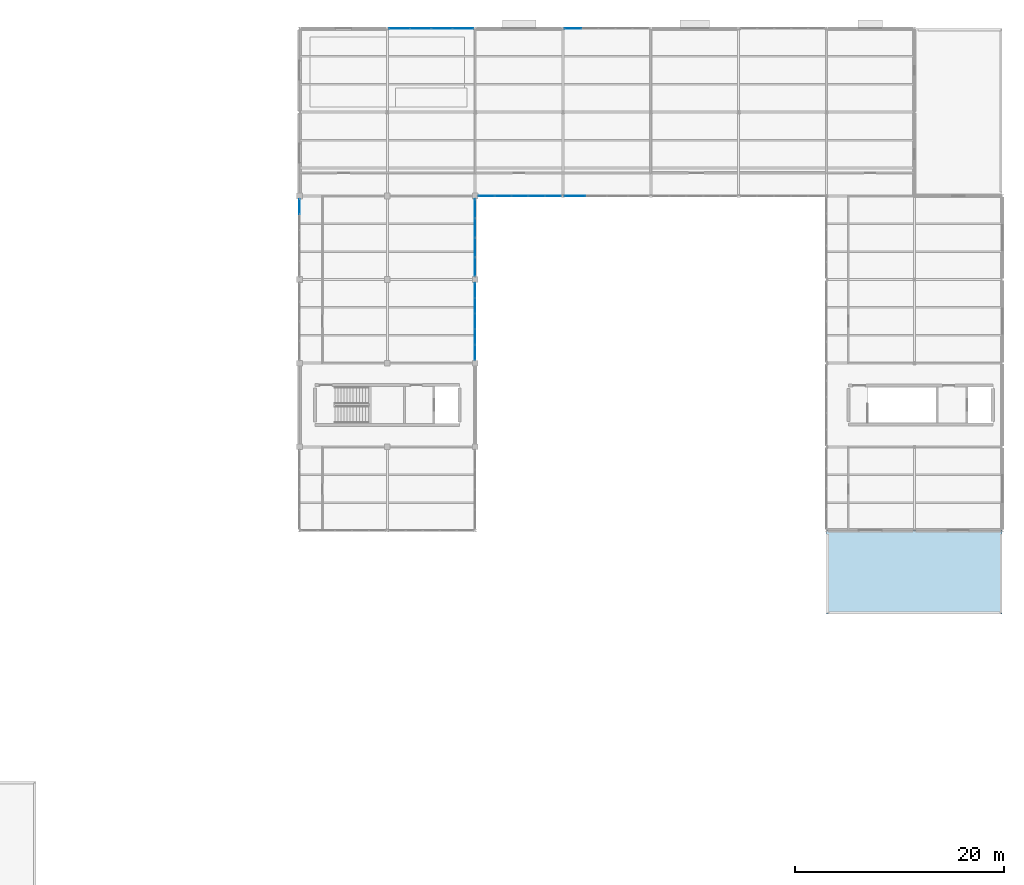
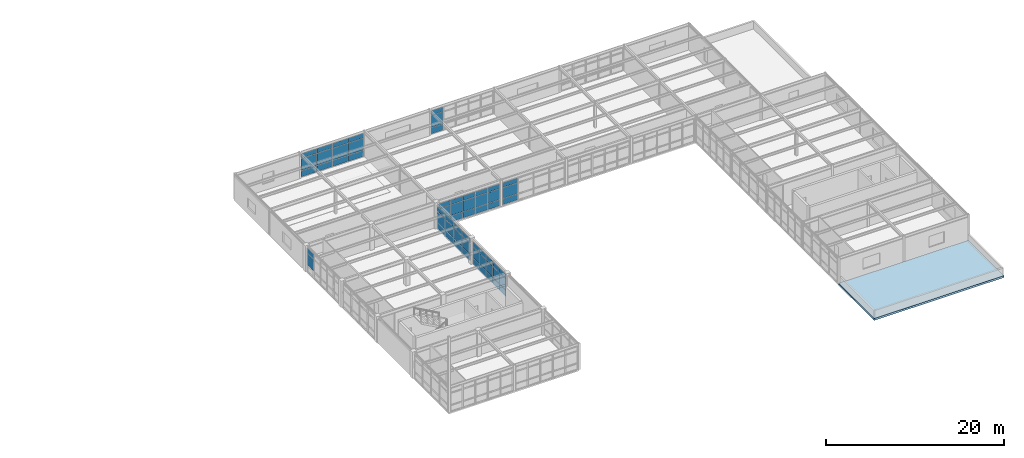
# One storey, part 37 of 53: 62 plates, 1 slab, 7 elements without a shape of their own.
"""IFC4 building model written with IfcOpenShell, lengths in metres."""

from ifc_helpers import new_model, si_unit, direction, frame, origin, origin_2d, place, context, subcontext, project, spatial, polyline, rectangle, outline, extrude, material, layer, layer_set, type_object, element, aggregate, save


model = new_model("IFC4")

# Units and contexts
model_context = context("Model", 3, precision=1e-05, world=origin(), true_north=direction((0.0, 1.0)))
body_context = subcontext(model_context, "Body", "Model", "MODEL_VIEW")
ifc_project = project(units=[si_unit("LENGTHUNIT", "METRE"), si_unit("AREAUNIT", "SQUARE_METRE"), si_unit("VOLUMEUNIT", "CUBIC_METRE"), si_unit("PLANEANGLEUNIT", "RADIAN"), si_unit("MASSUNIT", "GRAM", prefix="KILO")], contexts=[model_context])

# Site, building, storey
site_placement = place(None, origin())
site = spatial("IfcSite", under=ifc_project, at=site_placement, CompositionType="ELEMENT")
building_placement = place(site_placement, origin())
building = spatial("IfcBuilding", under=site, at=building_placement, Name="Kranzveld Transit Interchange", CompositionType="ELEMENT")
storey_placement = place(building_placement, frame((0.0, 0.0, 13.360107421875)))
storey = spatial("IfcBuildingStorey", under=building, at=storey_placement, Name="L03", CompositionType="ELEMENT", Elevation=13.360107421875)

# Curtain wall, plates
ifc_material_1 = material(Name="Bronze-anodised thermally broken aluminium", Category="aluminium")
ifc_layer_1 = layer(ifc_material_1, 0.159912109375)
ifc_layer_set_1 = layer_set([ifc_layer_1], Name="Bronze-anodised thermally broken aluminium")
curtain_wall_type_1 = type_object("IfcCurtainWallType", Name="Bus Boarding Glazed Screen CW-3", PredefinedType="USERDEFINED", material=ifc_layer_set_1)
curtain_wall_1_placement = place(storey_placement, origin())
curtain_wall_1 = element("IfcCurtainWall", 1, at=curtain_wall_1_placement, inside=storey, type_object=curtain_wall_type_1, Name="L03 Curtain Wall 14/Q-15/Q", ObjectType="CURTAIN WALL", PredefinedType="USERDEFINED")
ifc_material_2 = material(Name="Solar-control double glazing", Category="glass")
ifc_layer_2 = layer(ifc_material_2, 0.031982421875)
ifc_layer_set_2 = layer_set([ifc_layer_2], Name="Solar-control double glazing")
plate_type_1 = type_object("IfcPlateType", Name="Curtain Panel Acoustic Glazing 32", PredefinedType="CURTAIN_PANEL", material=ifc_layer_set_2)
plate_1_placement = place(storey_placement, frame((110.361083984375, 112.0, 0.059814453125), z_axis=(0.0, 0.0, 1.0), x_axis=(1.0, 0.0, 0.0)))
plate_1 = element("IfcPlate", 2, at=plate_1_placement, type_object=plate_type_1, Name="CW-3 panel 1.1", PredefinedType="CURTAIN_PANEL", context=body_context, shape_type="SweptSolid", body=[
    extrude(rectangle(XDim=1.946044921875, YDim=0.031982421875, at=origin_2d()), origin(), (0.0, 0.0, 1.0), 0.81005859375),
])
plate_2_placement = place(storey_placement, frame((110.361083984375, 112.0, 0.929931640625), z_axis=(0.0, 0.0, 1.0), x_axis=(1.0, 0.0, 0.0)))
plate_2 = element("IfcPlate", 3, at=plate_2_placement, type_object=plate_type_1, Name="CW-3 panel 1.2", PredefinedType="CURTAIN_PANEL", context=body_context, shape_type="SweptSolid", body=[
    extrude(rectangle(XDim=1.946044921875, YDim=0.031982421875, at=origin_2d()), origin(), (0.0, 0.0, 1.0), 1.6201171875),
])
plate_3_placement = place(storey_placement, frame((110.361083984375, 112.0, 2.60986328125), z_axis=(0.0, 0.0, 1.0), x_axis=(1.0, 0.0, 0.0)))
plate_3 = element("IfcPlate", 4, at=plate_3_placement, type_object=plate_type_1, Name="CW-3 panel 1.3", PredefinedType="CURTAIN_PANEL", context=body_context, shape_type="SweptSolid", body=[
    extrude(rectangle(XDim=1.946044921875, YDim=0.031982421875, at=origin_2d()), origin(), (0.0, 0.0, 1.0), 0.610107421875),
])
plate_4_placement = place(storey_placement, frame((112.382080078125, 112.0, 0.059814453125), z_axis=(0.0, 0.0, 1.0), x_axis=(1.0, 0.0, 0.0)))
plate_4 = element("IfcPlate", 5, at=plate_4_placement, type_object=plate_type_1, Name="CW-3 panel 2.1", PredefinedType="CURTAIN_PANEL", context=body_context, shape_type="SweptSolid", body=[
    extrude(rectangle(XDim=1.975830078125, YDim=0.031982421875, at=origin_2d()), origin(), (0.0, 0.0, 1.0), 0.81005859375),
])
plate_5_placement = place(storey_placement, frame((112.382080078125, 112.0, 0.929931640625), z_axis=(0.0, 0.0, 1.0), x_axis=(1.0, 0.0, 0.0)))
plate_5 = element("IfcPlate", 6, at=plate_5_placement, type_object=plate_type_1, Name="CW-3 panel 2.2", PredefinedType="CURTAIN_PANEL", context=body_context, shape_type="SweptSolid", body=[
    extrude(rectangle(XDim=1.975830078125, YDim=0.031982421875, at=origin_2d()), origin(), (0.0, 0.0, 1.0), 1.6201171875),
])
plate_6_placement = place(storey_placement, frame((112.382080078125, 112.0, 2.60986328125), z_axis=(0.0, 0.0, 1.0), x_axis=(1.0, 0.0, 0.0)))
plate_6 = element("IfcPlate", 7, at=plate_6_placement, type_object=plate_type_1, Name="CW-3 panel 2.3", PredefinedType="CURTAIN_PANEL", context=body_context, shape_type="SweptSolid", body=[
    extrude(rectangle(XDim=1.975830078125, YDim=0.031982421875, at=origin_2d()), origin(), (0.0, 0.0, 1.0), 0.610107421875),
])
plate_7_placement = place(storey_placement, frame((114.41796875, 112.0, 0.059814453125), z_axis=(0.0, 0.0, 1.0), x_axis=(1.0, 0.0, 0.0)))
plate_7 = element("IfcPlate", 8, at=plate_7_placement, type_object=plate_type_1, Name="CW-3 panel 3.1", PredefinedType="CURTAIN_PANEL", context=body_context, shape_type="SweptSolid", body=[
    extrude(rectangle(XDim=1.975830078125, YDim=0.031982421875, at=origin_2d()), origin(), (0.0, 0.0, 1.0), 0.81005859375),
])
plate_8_placement = place(storey_placement, frame((114.41796875, 112.0, 0.929931640625), z_axis=(0.0, 0.0, 1.0), x_axis=(1.0, 0.0, 0.0)))
plate_8 = element("IfcPlate", 9, at=plate_8_placement, type_object=plate_type_1, Name="CW-3 panel 3.2", PredefinedType="CURTAIN_PANEL", context=body_context, shape_type="SweptSolid", body=[
    extrude(rectangle(XDim=1.975830078125, YDim=0.031982421875, at=origin_2d()), origin(), (0.0, 0.0, 1.0), 1.6201171875),
])
plate_9_placement = place(storey_placement, frame((114.41796875, 112.0, 2.60986328125), z_axis=(0.0, 0.0, 1.0), x_axis=(1.0, 0.0, 0.0)))
plate_9 = element("IfcPlate", 10, at=plate_9_placement, type_object=plate_type_1, Name="CW-3 panel 3.3", PredefinedType="CURTAIN_PANEL", context=body_context, shape_type="SweptSolid", body=[
    extrude(rectangle(XDim=1.975830078125, YDim=0.031982421875, at=origin_2d()), origin(), (0.0, 0.0, 1.0), 0.610107421875),
])
plate_10_placement = place(storey_placement, frame((116.43896484375, 112.0, 0.059814453125), z_axis=(0.0, 0.0, 1.0), x_axis=(1.0, 0.0, 0.0)))
plate_10 = element("IfcPlate", 11, at=plate_10_placement, type_object=plate_type_1, Name="CW-3 panel 4.1", PredefinedType="CURTAIN_PANEL", context=body_context, shape_type="SweptSolid", body=[
    extrude(rectangle(XDim=1.946044921875, YDim=0.031982421875, at=origin_2d()), origin(), (0.0, 0.0, 1.0), 0.81005859375),
])
plate_11_placement = place(storey_placement, frame((116.43896484375, 112.0, 0.929931640625), z_axis=(0.0, 0.0, 1.0), x_axis=(1.0, 0.0, 0.0)))
plate_11 = element("IfcPlate", 12, at=plate_11_placement, type_object=plate_type_1, Name="CW-3 panel 4.2", PredefinedType="CURTAIN_PANEL", context=body_context, shape_type="SweptSolid", body=[
    extrude(rectangle(XDim=1.946044921875, YDim=0.031982421875, at=origin_2d()), origin(), (0.0, 0.0, 1.0), 1.6201171875),
])
plate_12_placement = place(storey_placement, frame((116.43896484375, 112.0, 2.60986328125), z_axis=(0.0, 0.0, 1.0), x_axis=(1.0, 0.0, 0.0)))
plate_12 = element("IfcPlate", 13, at=plate_12_placement, type_object=plate_type_1, Name="CW-3 panel 4.3", PredefinedType="CURTAIN_PANEL", context=body_context, shape_type="SweptSolid", body=[
    extrude(rectangle(XDim=1.946044921875, YDim=0.031982421875, at=origin_2d()), origin(), (0.0, 0.0, 1.0), 0.610107421875),
])
aggregate(curtain_wall_1, [plate_1, plate_2, plate_3, plate_4, plate_5, plate_6, plate_7, plate_8, plate_9, plate_10, plate_11, plate_12])

ifc_material_3 = material(Name="Bronze-anodised thermally broken aluminium", Category="aluminium")
ifc_layer_3 = layer(ifc_material_3, 0.1650390625)
ifc_layer_set_3 = layer_set([ifc_layer_3], Name="Bronze-anodised thermally broken aluminium")
curtain_wall_type_2 = type_object("IfcCurtainWallType", Name="Sunny Court Arcade Curtain Wall CW-2", PredefinedType="USERDEFINED", material=ifc_layer_set_3)
curtain_wall_2_placement = place(storey_placement, origin())
curtain_wall_2 = element("IfcCurtainWall", 14, at=curtain_wall_2_placement, inside=storey, type_object=curtain_wall_type_2, Name="L03 Curtain Wall 13/M-13/N", ObjectType="CURTAIN WALL", PredefinedType="USERDEFINED")
ifc_material_4 = material(Name="Solar-control double glazing", Category="glass")
ifc_layer_4 = layer(ifc_material_4, 0.02392578125)
ifc_layer_set_4 = layer_set([ifc_layer_4], Name="Solar-control double glazing")
plate_type_2 = type_object("IfcPlateType", Name="Curtain Panel Clear Glazing 24", PredefinedType="CURTAIN_PANEL", material=ifc_layer_set_4)
plate_13_placement = place(storey_placement, frame((100.800048828125, 94.9638671875, 0.929931640625), z_axis=(0.0, 0.0, 1.0), x_axis=(0.0, 1.0, 0.0)))
plate_13 = element("IfcPlate", 15, at=plate_13_placement, type_object=plate_type_2, Name="CW-2 panel 5.2", PredefinedType="CURTAIN_PANEL", context=body_context, shape_type="SweptSolid", body=[
    extrude(rectangle(XDim=1.392578125, YDim=0.02392578125, at=origin_2d()), origin(), (0.0, 0.0, 1.0), 1.6201171875),
])
plate_14_placement = place(storey_placement, frame((100.800048828125, 94.9638671875, 2.60986328125), z_axis=(0.0, 0.0, 1.0), x_axis=(0.0, 1.0, 0.0)))
plate_14 = element("IfcPlate", 16, at=plate_14_placement, type_object=plate_type_2, Name="CW-2 panel 5.3", PredefinedType="CURTAIN_PANEL", context=body_context, shape_type="SweptSolid", body=[
    extrude(rectangle(XDim=1.392578125, YDim=0.02392578125, at=origin_2d()), origin(), (0.0, 0.0, 1.0), 0.610107421875),
])
aggregate(curtain_wall_2, [plate_13, plate_14])

ifc_material_5 = material(Name="Bronze-anodised thermally broken aluminium", Category="aluminium")
ifc_layer_5 = layer(ifc_material_5, 0.14990234375)
ifc_layer_set_5 = layer_set([ifc_layer_5], Name="Bronze-anodised thermally broken aluminium")
curtain_wall_type_3 = type_object("IfcCurtainWallType", Name="Public Passage Clerestory Screen CW-4", PredefinedType="USERDEFINED", material=ifc_layer_set_5)
curtain_wall_3_placement = place(storey_placement, origin())
curtain_wall_3 = element("IfcCurtainWall", 17, at=curtain_wall_3_placement, inside=storey, type_object=curtain_wall_type_3, Name="L03 Curtain Wall 15/L-15/M", ObjectType="CURTAIN WALL", PredefinedType="USERDEFINED")
ifc_material_6 = material(Name="Solar-control double glazing", Category="glass")
ifc_layer_6 = layer(ifc_material_6, 0.0419921875)
ifc_layer_set_6 = layer_set([ifc_layer_6], Name="Solar-control double glazing")
plate_type_3 = type_object("IfcPlateType", Name="Curtain Panel Laminated Glazing 42", PredefinedType="CURTAIN_PANEL", material=ifc_layer_set_6)
plate_15_placement = place(storey_placement, frame((117.60009765625, 81.034912109375, 0.059814453125), z_axis=(0.0, 0.0, 1.0), x_axis=(0.0, 1.0, 0.0)))
plate_15 = element("IfcPlate", 18, at=plate_15_placement, type_object=plate_type_3, Name="CW-4 panel 1.1", PredefinedType="CURTAIN_PANEL", context=body_context, shape_type="SweptSolid", body=[
    extrude(rectangle(XDim=1.39990234375, YDim=0.0419921875, at=origin_2d()), origin(), (0.0, 0.0, 1.0), 0.81005859375),
])
plate_16_placement = place(storey_placement, frame((117.60009765625, 81.034912109375, 0.9296875), z_axis=(0.0, 0.0, 1.0), x_axis=(0.0, 1.0, 0.0)))
plate_16 = element("IfcPlate", 19, at=plate_16_placement, type_object=plate_type_3, Name="CW-4 panel 1.2", PredefinedType="CURTAIN_PANEL", context=body_context, shape_type="SweptSolid", body=[
    extrude(rectangle(XDim=1.39990234375, YDim=0.0419921875, at=origin_2d()), origin(), (0.0, 0.0, 1.0), 1.466552734375),
])
plate_17_placement = place(storey_placement, frame((117.60009765625, 81.034912109375, 2.45654296875), z_axis=(0.0, 0.0, 1.0), x_axis=(0.0, 1.0, 0.0)))
plate_17 = element("IfcPlate", 20, at=plate_17_placement, type_object=plate_type_3, Name="CW-4 panel 1.3", PredefinedType="CURTAIN_PANEL", context=body_context, shape_type="SweptSolid", body=[
    extrude(rectangle(XDim=1.39990234375, YDim=0.0419921875, at=origin_2d()), origin(), (0.0, 0.0, 1.0), 0.610107421875),
])
plate_18_placement = place(storey_placement, frame((117.60009765625, 82.510009765625, 0.059814453125), z_axis=(0.0, 0.0, 1.0), x_axis=(0.0, 1.0, 0.0)))
plate_18 = element("IfcPlate", 21, at=plate_18_placement, type_object=plate_type_3, Name="CW-4 panel 2.1", PredefinedType="CURTAIN_PANEL", context=body_context, shape_type="SweptSolid", body=[
    extrude(rectangle(XDim=1.429931640625, YDim=0.0419921875, at=origin_2d()), origin(), (0.0, 0.0, 1.0), 0.81005859375),
])
plate_19_placement = place(storey_placement, frame((117.60009765625, 82.510009765625, 0.9296875), z_axis=(0.0, 0.0, 1.0), x_axis=(0.0, 1.0, 0.0)))
plate_19 = element("IfcPlate", 22, at=plate_19_placement, type_object=plate_type_3, Name="CW-4 panel 2.2", PredefinedType="CURTAIN_PANEL", context=body_context, shape_type="SweptSolid", body=[
    extrude(rectangle(XDim=1.429931640625, YDim=0.0419921875, at=origin_2d()), origin(), (0.0, 0.0, 1.0), 1.466552734375),
])
plate_20_placement = place(storey_placement, frame((117.60009765625, 82.510009765625, 2.45654296875), z_axis=(0.0, 0.0, 1.0), x_axis=(0.0, 1.0, 0.0)))
plate_20 = element("IfcPlate", 23, at=plate_20_placement, type_object=plate_type_3, Name="CW-4 panel 2.3", PredefinedType="CURTAIN_PANEL", context=body_context, shape_type="SweptSolid", body=[
    extrude(rectangle(XDim=1.429931640625, YDim=0.0419921875, at=origin_2d()), origin(), (0.0, 0.0, 1.0), 0.610107421875),
])
plate_21_placement = place(storey_placement, frame((117.60009765625, 84.0, 0.059814453125), z_axis=(0.0, 0.0, 1.0), x_axis=(0.0, 1.0, 0.0)))
plate_21 = element("IfcPlate", 24, at=plate_21_placement, type_object=plate_type_3, Name="CW-4 panel 3.1", PredefinedType="CURTAIN_PANEL", context=body_context, shape_type="SweptSolid", body=[
    extrude(rectangle(XDim=1.429931640625, YDim=0.0419921875, at=origin_2d()), origin(), (0.0, 0.0, 1.0), 0.81005859375),
])
plate_22_placement = place(storey_placement, frame((117.60009765625, 84.0, 0.9296875), z_axis=(0.0, 0.0, 1.0), x_axis=(0.0, 1.0, 0.0)))
plate_22 = element("IfcPlate", 25, at=plate_22_placement, type_object=plate_type_3, Name="CW-4 panel 3.2", PredefinedType="CURTAIN_PANEL", context=body_context, shape_type="SweptSolid", body=[
    extrude(rectangle(XDim=1.429931640625, YDim=0.0419921875, at=origin_2d()), origin(), (0.0, 0.0, 1.0), 1.466552734375),
])
plate_23_placement = place(storey_placement, frame((117.60009765625, 84.0, 2.45654296875), z_axis=(0.0, 0.0, 1.0), x_axis=(0.0, 1.0, 0.0)))
plate_23 = element("IfcPlate", 26, at=plate_23_placement, type_object=plate_type_3, Name="CW-4 panel 3.3", PredefinedType="CURTAIN_PANEL", context=body_context, shape_type="SweptSolid", body=[
    extrude(rectangle(XDim=1.429931640625, YDim=0.0419921875, at=origin_2d()), origin(), (0.0, 0.0, 1.0), 0.610107421875),
])
plate_24_placement = place(storey_placement, frame((117.60009765625, 85.489990234375, 0.059814453125), z_axis=(0.0, 0.0, 1.0), x_axis=(0.0, 1.0, 0.0)))
plate_24 = element("IfcPlate", 27, at=plate_24_placement, type_object=plate_type_3, Name="CW-4 panel 4.1", PredefinedType="CURTAIN_PANEL", context=body_context, shape_type="SweptSolid", body=[
    extrude(rectangle(XDim=1.429931640625, YDim=0.0419921875, at=origin_2d()), origin(), (0.0, 0.0, 1.0), 0.81005859375),
])
plate_25_placement = place(storey_placement, frame((117.60009765625, 85.489990234375, 0.9296875), z_axis=(0.0, 0.0, 1.0), x_axis=(0.0, 1.0, 0.0)))
plate_25 = element("IfcPlate", 28, at=plate_25_placement, type_object=plate_type_3, Name="CW-4 panel 4.2", PredefinedType="CURTAIN_PANEL", context=body_context, shape_type="SweptSolid", body=[
    extrude(rectangle(XDim=1.429931640625, YDim=0.0419921875, at=origin_2d()), origin(), (0.0, 0.0, 1.0), 1.466552734375),
])
plate_26_placement = place(storey_placement, frame((117.60009765625, 85.489990234375, 2.45654296875), z_axis=(0.0, 0.0, 1.0), x_axis=(0.0, 1.0, 0.0)))
plate_26 = element("IfcPlate", 29, at=plate_26_placement, type_object=plate_type_3, Name="CW-4 panel 4.3", PredefinedType="CURTAIN_PANEL", context=body_context, shape_type="SweptSolid", body=[
    extrude(rectangle(XDim=1.429931640625, YDim=0.0419921875, at=origin_2d()), origin(), (0.0, 0.0, 1.0), 0.610107421875),
])
plate_27_placement = place(storey_placement, frame((117.60009765625, 86.965087890625, 0.059814453125), z_axis=(0.0, 0.0, 1.0), x_axis=(0.0, 1.0, 0.0)))
plate_27 = element("IfcPlate", 30, at=plate_27_placement, type_object=plate_type_3, Name="CW-4 panel 5.1", PredefinedType="CURTAIN_PANEL", context=body_context, shape_type="SweptSolid", body=[
    extrude(rectangle(XDim=1.39990234375, YDim=0.0419921875, at=origin_2d()), origin(), (0.0, 0.0, 1.0), 0.81005859375),
])
plate_28_placement = place(storey_placement, frame((117.60009765625, 86.965087890625, 0.9296875), z_axis=(0.0, 0.0, 1.0), x_axis=(0.0, 1.0, 0.0)))
plate_28 = element("IfcPlate", 31, at=plate_28_placement, type_object=plate_type_3, Name="CW-4 panel 5.2", PredefinedType="CURTAIN_PANEL", context=body_context, shape_type="SweptSolid", body=[
    extrude(rectangle(XDim=1.39990234375, YDim=0.0419921875, at=origin_2d()), origin(), (0.0, 0.0, 1.0), 1.466552734375),
])
plate_29_placement = place(storey_placement, frame((117.60009765625, 86.965087890625, 2.45654296875), z_axis=(0.0, 0.0, 1.0), x_axis=(0.0, 1.0, 0.0)))
plate_29 = element("IfcPlate", 32, at=plate_29_placement, type_object=plate_type_3, Name="CW-4 panel 5.3", PredefinedType="CURTAIN_PANEL", context=body_context, shape_type="SweptSolid", body=[
    extrude(rectangle(XDim=1.39990234375, YDim=0.0419921875, at=origin_2d()), origin(), (0.0, 0.0, 1.0), 0.610107421875),
])
aggregate(curtain_wall_3, [plate_15, plate_16, plate_17, plate_18, plate_19, plate_20, plate_21, plate_22, plate_23, plate_24, plate_25, plate_26, plate_27, plate_28, plate_29])

curtain_wall_4_placement = place(storey_placement, origin())
curtain_wall_4 = element("IfcCurtainWall", 33, at=curtain_wall_4_placement, inside=storey, type_object=curtain_wall_type_3, Name="L03 Curtain Wall 16/Q-17/Q", ObjectType="CURTAIN WALL", PredefinedType="USERDEFINED")
plate_30_placement = place(storey_placement, frame((126.95751953125, 112.0, 0.059814453125), z_axis=(0.0, 0.0, 1.0), x_axis=(1.0, 0.0, 0.0)))
plate_30 = element("IfcPlate", 34, at=plate_30_placement, type_object=plate_type_3, Name="CW-4 panel 1.1", PredefinedType="CURTAIN_PANEL", context=body_context, shape_type="SweptSolid", body=[
    extrude(rectangle(XDim=1.538818359375, YDim=0.0419921875, at=origin_2d()), origin(), (0.0, 0.0, 1.0), 0.81005859375),
])
plate_31_placement = place(storey_placement, frame((126.95751953125, 112.0, 0.929931640625), z_axis=(0.0, 0.0, 1.0), x_axis=(1.0, 0.0, 0.0)))
plate_31 = element("IfcPlate", 35, at=plate_31_placement, type_object=plate_type_3, Name="CW-4 panel 1.2", PredefinedType="CURTAIN_PANEL", context=body_context, shape_type="SweptSolid", body=[
    extrude(rectangle(XDim=1.538818359375, YDim=0.0419921875, at=origin_2d()), origin(), (0.0, 0.0, 1.0), 1.6201171875),
])
plate_32_placement = place(storey_placement, frame((126.95751953125, 112.0, 2.60986328125), z_axis=(0.0, 0.0, 1.0), x_axis=(1.0, 0.0, 0.0)))
plate_32 = element("IfcPlate", 36, at=plate_32_placement, type_object=plate_type_3, Name="CW-4 panel 1.3", PredefinedType="CURTAIN_PANEL", context=body_context, shape_type="SweptSolid", body=[
    extrude(rectangle(XDim=1.538818359375, YDim=0.0419921875, at=origin_2d()), origin(), (0.0, 0.0, 1.0), 0.610107421875),
])
aggregate(curtain_wall_4, [plate_30, plate_31, plate_32])

ifc_material_7 = material(Name="Bronze-anodised thermally broken aluminium", Category="aluminium")
ifc_layer_7 = layer(ifc_material_7, 0.18505859375)
ifc_layer_set_7 = layer_set([ifc_layer_7], Name="Bronze-anodised thermally broken aluminium")
curtain_wall_type_4 = type_object("IfcCurtainWallType", Name="Control Crown Observation Facade CW-5", PredefinedType="USERDEFINED", material=ifc_layer_set_7)
curtain_wall_5_placement = place(storey_placement, origin())
curtain_wall_5 = element("IfcCurtainWall", 37, at=curtain_wall_5_placement, inside=storey, type_object=curtain_wall_type_4, Name="L03 Curtain Wall 15/M-15/N", ObjectType="CURTAIN WALL", PredefinedType="USERDEFINED")
ifc_material_8 = material(Name="Solar-control double glazing", Category="glass")
ifc_layer_8 = layer(ifc_material_8, 0.035888671875)
ifc_layer_set_8 = layer_set([ifc_layer_8], Name="Solar-control double glazing")
plate_type_4 = type_object("IfcPlateType", Name="Curtain Panel Triple Glazing 36", PredefinedType="CURTAIN_PANEL", material=ifc_layer_set_8)
plate_33_placement = place(storey_placement, frame((117.60009765625, 89.222412109375, 0.06494140625), z_axis=(0.0, 0.0, 1.0), x_axis=(0.0, 1.0, 0.0)))
plate_33 = element("IfcPlate", 38, at=plate_33_placement, type_object=plate_type_4, Name="CW-5 panel 1.1", PredefinedType="CURTAIN_PANEL", context=body_context, shape_type="SweptSolid", body=[
    extrude(rectangle(XDim=1.764892578125, YDim=0.035888671875, at=origin_2d()), origin(), (0.0, 0.0, 1.0), 0.802490234375),
])
plate_34_placement = place(storey_placement, frame((117.60009765625, 89.222412109375, 0.93212890625), z_axis=(0.0, 0.0, 1.0), x_axis=(0.0, 1.0, 0.0)))
plate_34 = element("IfcPlate", 39, at=plate_34_placement, type_object=plate_type_4, Name="CW-5 panel 1.2", PredefinedType="CURTAIN_PANEL", context=body_context, shape_type="SweptSolid", body=[
    extrude(rectangle(XDim=1.764892578125, YDim=0.035888671875, at=origin_2d()), origin(), (0.0, 0.0, 1.0), 1.461669921875),
])
plate_35_placement = place(storey_placement, frame((117.60009765625, 89.222412109375, 2.458984375), z_axis=(0.0, 0.0, 1.0), x_axis=(0.0, 1.0, 0.0)))
plate_35 = element("IfcPlate", 40, at=plate_35_placement, type_object=plate_type_4, Name="CW-5 panel 1.3", PredefinedType="CURTAIN_PANEL", context=body_context, shape_type="SweptSolid", body=[
    extrude(rectangle(XDim=1.764892578125, YDim=0.035888671875, at=origin_2d()), origin(), (0.0, 0.0, 1.0), 0.6025390625),
])
plate_36_placement = place(storey_placement, frame((117.60009765625, 91.06884765625, 0.06494140625), z_axis=(0.0, 0.0, 1.0), x_axis=(0.0, 1.0, 0.0)))
plate_36 = element("IfcPlate", 41, at=plate_36_placement, type_object=plate_type_4, Name="CW-5 panel 2.1", PredefinedType="CURTAIN_PANEL", context=body_context, shape_type="SweptSolid", body=[
    extrude(rectangle(XDim=1.797607421875, YDim=0.035888671875, at=origin_2d()), origin(), (0.0, 0.0, 1.0), 0.802490234375),
])
plate_37_placement = place(storey_placement, frame((117.60009765625, 91.06884765625, 0.93212890625), z_axis=(0.0, 0.0, 1.0), x_axis=(0.0, 1.0, 0.0)))
plate_37 = element("IfcPlate", 42, at=plate_37_placement, type_object=plate_type_4, Name="CW-5 panel 2.2", PredefinedType="CURTAIN_PANEL", context=body_context, shape_type="SweptSolid", body=[
    extrude(rectangle(XDim=1.797607421875, YDim=0.035888671875, at=origin_2d()), origin(), (0.0, 0.0, 1.0), 1.461669921875),
])
plate_38_placement = place(storey_placement, frame((117.60009765625, 91.06884765625, 2.458984375), z_axis=(0.0, 0.0, 1.0), x_axis=(0.0, 1.0, 0.0)))
plate_38 = element("IfcPlate", 43, at=plate_38_placement, type_object=plate_type_4, Name="CW-5 panel 2.3", PredefinedType="CURTAIN_PANEL", context=body_context, shape_type="SweptSolid", body=[
    extrude(rectangle(XDim=1.797607421875, YDim=0.035888671875, at=origin_2d()), origin(), (0.0, 0.0, 1.0), 0.6025390625),
])
plate_39_placement = place(storey_placement, frame((117.60009765625, 92.93115234375, 0.06494140625), z_axis=(0.0, 0.0, 1.0), x_axis=(0.0, 1.0, 0.0)))
plate_39 = element("IfcPlate", 44, at=plate_39_placement, type_object=plate_type_4, Name="CW-5 panel 3.1", PredefinedType="CURTAIN_PANEL", context=body_context, shape_type="SweptSolid", body=[
    extrude(rectangle(XDim=1.797607421875, YDim=0.035888671875, at=origin_2d()), origin(), (0.0, 0.0, 1.0), 0.802490234375),
])
plate_40_placement = place(storey_placement, frame((117.60009765625, 92.93115234375, 0.93212890625), z_axis=(0.0, 0.0, 1.0), x_axis=(0.0, 1.0, 0.0)))
plate_40 = element("IfcPlate", 45, at=plate_40_placement, type_object=plate_type_4, Name="CW-5 panel 3.2", PredefinedType="CURTAIN_PANEL", context=body_context, shape_type="SweptSolid", body=[
    extrude(rectangle(XDim=1.797607421875, YDim=0.035888671875, at=origin_2d()), origin(), (0.0, 0.0, 1.0), 1.461669921875),
])
plate_41_placement = place(storey_placement, frame((117.60009765625, 92.93115234375, 2.458984375), z_axis=(0.0, 0.0, 1.0), x_axis=(0.0, 1.0, 0.0)))
plate_41 = element("IfcPlate", 46, at=plate_41_placement, type_object=plate_type_4, Name="CW-5 panel 3.3", PredefinedType="CURTAIN_PANEL", context=body_context, shape_type="SweptSolid", body=[
    extrude(rectangle(XDim=1.797607421875, YDim=0.035888671875, at=origin_2d()), origin(), (0.0, 0.0, 1.0), 0.6025390625),
])
plate_42_placement = place(storey_placement, frame((117.60009765625, 94.777587890625, 0.06494140625), z_axis=(0.0, 0.0, 1.0), x_axis=(0.0, 1.0, 0.0)))
plate_42 = element("IfcPlate", 47, at=plate_42_placement, type_object=plate_type_4, Name="CW-5 panel 4.1", PredefinedType="CURTAIN_PANEL", context=body_context, shape_type="SweptSolid", body=[
    extrude(rectangle(XDim=1.764892578125, YDim=0.035888671875, at=origin_2d()), origin(), (0.0, 0.0, 1.0), 0.802490234375),
])
plate_43_placement = place(storey_placement, frame((117.60009765625, 94.777587890625, 0.93212890625), z_axis=(0.0, 0.0, 1.0), x_axis=(0.0, 1.0, 0.0)))
plate_43 = element("IfcPlate", 48, at=plate_43_placement, type_object=plate_type_4, Name="CW-5 panel 4.2", PredefinedType="CURTAIN_PANEL", context=body_context, shape_type="SweptSolid", body=[
    extrude(rectangle(XDim=1.764892578125, YDim=0.035888671875, at=origin_2d()), origin(), (0.0, 0.0, 1.0), 1.461669921875),
])
plate_44_placement = place(storey_placement, frame((117.60009765625, 94.777587890625, 2.458984375), z_axis=(0.0, 0.0, 1.0), x_axis=(0.0, 1.0, 0.0)))
plate_44 = element("IfcPlate", 49, at=plate_44_placement, type_object=plate_type_4, Name="CW-5 panel 4.3", PredefinedType="CURTAIN_PANEL", context=body_context, shape_type="SweptSolid", body=[
    extrude(rectangle(XDim=1.764892578125, YDim=0.035888671875, at=origin_2d()), origin(), (0.0, 0.0, 1.0), 0.6025390625),
])
aggregate(curtain_wall_5, [plate_33, plate_34, plate_35, plate_36, plate_37, plate_38, plate_39, plate_40, plate_41, plate_42, plate_43, plate_44])

curtain_wall_6_placement = place(storey_placement, origin())
curtain_wall_6 = element("IfcCurtainWall", 50, at=curtain_wall_6_placement, inside=storey, type_object=curtain_wall_type_2, Name="L03 Curtain Wall 15/N-16/N", ObjectType="CURTAIN WALL", PredefinedType="USERDEFINED")
ifc_material_9 = material(Name="Pretoria red-purple clinker clay face brick, 35 MPa", Category="masonry")
ifc_layer_9 = layer(ifc_material_9, 0.050048828125)
ifc_layer_set_9 = layer_set([ifc_layer_9], Name="Pretoria red-purple clinker clay face brick, 35 MPa")
plate_type_5 = type_object("IfcPlateType", Name="Curtain Spandrel Clinker Tile 50", PredefinedType="CURTAIN_PANEL", material=ifc_layer_set_9)
plate_45_placement = place(storey_placement, frame((118.69091796875, 96.0, 0.059814453125), z_axis=(0.0, 0.0, 1.0), x_axis=(1.0, 0.0, 0.0)))
plate_45 = element("IfcPlate", 51, at=plate_45_placement, type_object=plate_type_5, Name="CW-2 panel 1.1", PredefinedType="CURTAIN_PANEL", context=body_context, shape_type="SweptSolid", body=[
    extrude(rectangle(XDim=1.501953125, YDim=0.050048828125, at=origin_2d()), origin(), (0.0, 0.0, 1.0), 0.81005859375),
])
plate_46_placement = place(storey_placement, frame((118.69091796875, 96.0, 0.929931640625), z_axis=(0.0, 0.0, 1.0), x_axis=(1.0, 0.0, 0.0)))
plate_46 = element("IfcPlate", 52, at=plate_46_placement, type_object=plate_type_5, Name="CW-2 panel 1.2", PredefinedType="CURTAIN_PANEL", context=body_context, shape_type="SweptSolid", body=[
    extrude(rectangle(XDim=1.501953125, YDim=0.050048828125, at=origin_2d()), origin(), (0.0, 0.0, 1.0), 1.462890625),
])
plate_47_placement = place(storey_placement, frame((118.69091796875, 96.0, 2.45263671875), z_axis=(0.0, 0.0, 1.0), x_axis=(1.0, 0.0, 0.0)))
plate_47 = element("IfcPlate", 53, at=plate_47_placement, type_object=plate_type_5, Name="CW-2 panel 1.3", PredefinedType="CURTAIN_PANEL", context=body_context, shape_type="SweptSolid", body=[
    extrude(rectangle(XDim=1.501953125, YDim=0.050048828125, at=origin_2d()), origin(), (0.0, 0.0, 1.0), 0.610107421875),
])
plate_48_placement = place(storey_placement, frame((120.274169921875, 96.0, 0.059814453125), z_axis=(0.0, 0.0, 1.0), x_axis=(1.0, 0.0, 0.0)))
plate_48 = element("IfcPlate", 54, at=plate_48_placement, type_object=plate_type_5, Name="CW-2 panel 2.1", PredefinedType="CURTAIN_PANEL", context=body_context, shape_type="SweptSolid", body=[
    extrude(rectangle(XDim=1.534423828125, YDim=0.050048828125, at=origin_2d()), origin(), (0.0, 0.0, 1.0), 0.81005859375),
])
plate_49_placement = place(storey_placement, frame((120.274169921875, 96.0, 0.929931640625), z_axis=(0.0, 0.0, 1.0), x_axis=(1.0, 0.0, 0.0)))
plate_49 = element("IfcPlate", 55, at=plate_49_placement, type_object=plate_type_5, Name="CW-2 panel 2.2", PredefinedType="CURTAIN_PANEL", context=body_context, shape_type="SweptSolid", body=[
    extrude(rectangle(XDim=1.534423828125, YDim=0.050048828125, at=origin_2d()), origin(), (0.0, 0.0, 1.0), 1.462890625),
])
plate_50_placement = place(storey_placement, frame((120.274169921875, 96.0, 2.45263671875), z_axis=(0.0, 0.0, 1.0), x_axis=(1.0, 0.0, 0.0)))
plate_50 = element("IfcPlate", 56, at=plate_50_placement, type_object=plate_type_5, Name="CW-2 panel 2.3", PredefinedType="CURTAIN_PANEL", context=body_context, shape_type="SweptSolid", body=[
    extrude(rectangle(XDim=1.534423828125, YDim=0.050048828125, at=origin_2d()), origin(), (0.0, 0.0, 1.0), 0.610107421875),
])
plate_51_placement = place(storey_placement, frame((121.87353515625, 96.0, 0.059814453125), z_axis=(0.0, 0.0, 1.0), x_axis=(1.0, 0.0, 0.0)))
plate_51 = element("IfcPlate", 57, at=plate_51_placement, type_object=plate_type_5, Name="CW-2 panel 3.1", PredefinedType="CURTAIN_PANEL", context=body_context, shape_type="SweptSolid", body=[
    extrude(rectangle(XDim=1.534423828125, YDim=0.050048828125, at=origin_2d()), origin(), (0.0, 0.0, 1.0), 0.81005859375),
])
plate_52_placement = place(storey_placement, frame((121.87353515625, 96.0, 0.929931640625), z_axis=(0.0, 0.0, 1.0), x_axis=(1.0, 0.0, 0.0)))
plate_52 = element("IfcPlate", 58, at=plate_52_placement, type_object=plate_type_5, Name="CW-2 panel 3.2", PredefinedType="CURTAIN_PANEL", context=body_context, shape_type="SweptSolid", body=[
    extrude(rectangle(XDim=1.534423828125, YDim=0.050048828125, at=origin_2d()), origin(), (0.0, 0.0, 1.0), 1.462890625),
])
plate_53_placement = place(storey_placement, frame((121.87353515625, 96.0, 2.45263671875), z_axis=(0.0, 0.0, 1.0), x_axis=(1.0, 0.0, 0.0)))
plate_53 = element("IfcPlate", 59, at=plate_53_placement, type_object=plate_type_5, Name="CW-2 panel 3.3", PredefinedType="CURTAIN_PANEL", context=body_context, shape_type="SweptSolid", body=[
    extrude(rectangle(XDim=1.534423828125, YDim=0.050048828125, at=origin_2d()), origin(), (0.0, 0.0, 1.0), 0.610107421875),
])
plate_54_placement = place(storey_placement, frame((123.472900390625, 96.0, 0.059814453125), z_axis=(0.0, 0.0, 1.0), x_axis=(1.0, 0.0, 0.0)))
plate_54 = element("IfcPlate", 60, at=plate_54_placement, type_object=plate_type_5, Name="CW-2 panel 4.1", PredefinedType="CURTAIN_PANEL", context=body_context, shape_type="SweptSolid", body=[
    extrude(rectangle(XDim=1.534423828125, YDim=0.050048828125, at=origin_2d()), origin(), (0.0, 0.0, 1.0), 0.81005859375),
])
plate_55_placement = place(storey_placement, frame((123.472900390625, 96.0, 0.929931640625), z_axis=(0.0, 0.0, 1.0), x_axis=(1.0, 0.0, 0.0)))
plate_55 = element("IfcPlate", 61, at=plate_55_placement, type_object=plate_type_5, Name="CW-2 panel 4.2", PredefinedType="CURTAIN_PANEL", context=body_context, shape_type="SweptSolid", body=[
    extrude(rectangle(XDim=1.534423828125, YDim=0.050048828125, at=origin_2d()), origin(), (0.0, 0.0, 1.0), 1.462890625),
])
plate_56_placement = place(storey_placement, frame((123.472900390625, 96.0, 2.45263671875), z_axis=(0.0, 0.0, 1.0), x_axis=(1.0, 0.0, 0.0)))
plate_56 = element("IfcPlate", 62, at=plate_56_placement, type_object=plate_type_5, Name="CW-2 panel 4.3", PredefinedType="CURTAIN_PANEL", context=body_context, shape_type="SweptSolid", body=[
    extrude(rectangle(XDim=1.534423828125, YDim=0.050048828125, at=origin_2d()), origin(), (0.0, 0.0, 1.0), 0.610107421875),
])
plate_57_placement = place(storey_placement, frame((125.055908203125, 96.0, 0.059814453125), z_axis=(0.0, 0.0, 1.0), x_axis=(1.0, 0.0, 0.0)))
plate_57 = element("IfcPlate", 63, at=plate_57_placement, type_object=plate_type_5, Name="CW-2 panel 5.1", PredefinedType="CURTAIN_PANEL", context=body_context, shape_type="SweptSolid", body=[
    extrude(rectangle(XDim=1.501953125, YDim=0.050048828125, at=origin_2d()), origin(), (0.0, 0.0, 1.0), 0.81005859375),
])
plate_58_placement = place(storey_placement, frame((125.055908203125, 96.0, 0.929931640625), z_axis=(0.0, 0.0, 1.0), x_axis=(1.0, 0.0, 0.0)))
plate_58 = element("IfcPlate", 64, at=plate_58_placement, type_object=plate_type_5, Name="CW-2 panel 5.2", PredefinedType="CURTAIN_PANEL", context=body_context, shape_type="SweptSolid", body=[
    extrude(rectangle(XDim=1.501953125, YDim=0.050048828125, at=origin_2d()), origin(), (0.0, 0.0, 1.0), 1.462890625),
])
plate_59_placement = place(storey_placement, frame((125.055908203125, 96.0, 2.45263671875), z_axis=(0.0, 0.0, 1.0), x_axis=(1.0, 0.0, 0.0)))
plate_59 = element("IfcPlate", 65, at=plate_59_placement, type_object=plate_type_5, Name="CW-2 panel 5.3", PredefinedType="CURTAIN_PANEL", context=body_context, shape_type="SweptSolid", body=[
    extrude(rectangle(XDim=1.501953125, YDim=0.050048828125, at=origin_2d()), origin(), (0.0, 0.0, 1.0), 0.610107421875),
])
aggregate(curtain_wall_6, [plate_45, plate_46, plate_47, plate_48, plate_49, plate_50, plate_51, plate_52, plate_53, plate_54, plate_55, plate_56, plate_57, plate_58, plate_59])

curtain_wall_7_placement = place(storey_placement, origin())
curtain_wall_7 = element("IfcCurtainWall", 66, at=curtain_wall_7_placement, inside=storey, type_object=curtain_wall_type_1, Name="L03 Curtain Wall 16/N-17/N", ObjectType="CURTAIN WALL", PredefinedType="USERDEFINED")
ifc_material_10 = material(Name="Bronze-anodised thermally broken aluminium", Category="aluminium")
ifc_layer_10 = layer(ifc_material_10, 0.053955078125)
ifc_layer_set_10 = layer_set([ifc_layer_10], Name="Bronze-anodised thermally broken aluminium")
plate_type_6 = type_object("IfcPlateType", Name="Curtain Spandrel Insulated Alu 54", PredefinedType="CURTAIN_PANEL", material=ifc_layer_set_10)
plate_60_placement = place(storey_placement, frame((127.1611328125, 96.0, 0.06494140625), z_axis=(0.0, 0.0, 1.0), x_axis=(1.0, 0.0, 0.0)))
plate_60 = element("IfcPlate", 67, at=plate_60_placement, type_object=plate_type_6, Name="CW-3 panel 1.1", PredefinedType="CURTAIN_PANEL", context=body_context, shape_type="SweptSolid", body=[
    extrude(rectangle(XDim=1.946044921875, YDim=0.053955078125, at=origin_2d()), origin(), (0.0, 0.0, 1.0), 0.802490234375),
])
plate_61_placement = place(storey_placement, frame((127.1611328125, 96.0, 0.932373046875), z_axis=(0.0, 0.0, 1.0), x_axis=(1.0, 0.0, 0.0)))
plate_61 = element("IfcPlate", 68, at=plate_61_placement, type_object=plate_type_6, Name="CW-3 panel 1.2", PredefinedType="CURTAIN_PANEL", context=body_context, shape_type="SweptSolid", body=[
    extrude(rectangle(XDim=1.946044921875, YDim=0.053955078125, at=origin_2d()), origin(), (0.0, 0.0, 1.0), 1.4580078125),
])
plate_62_placement = place(storey_placement, frame((127.1611328125, 96.0, 2.455322265625), z_axis=(0.0, 0.0, 1.0), x_axis=(1.0, 0.0, 0.0)))
plate_62 = element("IfcPlate", 69, at=plate_62_placement, type_object=plate_type_6, Name="CW-3 panel 1.3", PredefinedType="CURTAIN_PANEL", context=body_context, shape_type="SweptSolid", body=[
    extrude(rectangle(XDim=1.946044921875, YDim=0.053955078125, at=origin_2d()), origin(), (0.0, 0.0, 1.0), 0.6025390625),
])
aggregate(curtain_wall_7, [plate_60, plate_61, plate_62])

# Slab
ifc_material_11 = material(Name="Concrete C35/45", Category="concrete")
ifc_layer_11 = layer(ifc_material_11, 0.27001953125)
ifc_layer_set_11 = layer_set([ifc_layer_11], Name="Concrete C35/45")
slab_type = type_object("IfcSlabType", Name="Mid-Rise Roof Slab 270 C35/45", PredefinedType="ROOF", material=ifc_layer_set_11)
slab_placement = place(storey_placement, frame((0.0, 0.0, -0.27001953125)))
element("IfcSlab", 70, at=slab_placement, inside=storey, type_object=slab_type, Name="L03 Flat Roof Slab 2", PredefinedType="ROOF", context=body_context, shape_type="SweptSolid", body=[
    extrude(outline(polyline([(151.199951171875, 64.0), (168.0, 64.0), (168.0, 56.0), (151.199951171875, 56.0), (151.199951171875, 64.0)])), origin(), (0.0, 0.0, 1.0), 0.27001953125),
])

save(model, "model.ifc")
